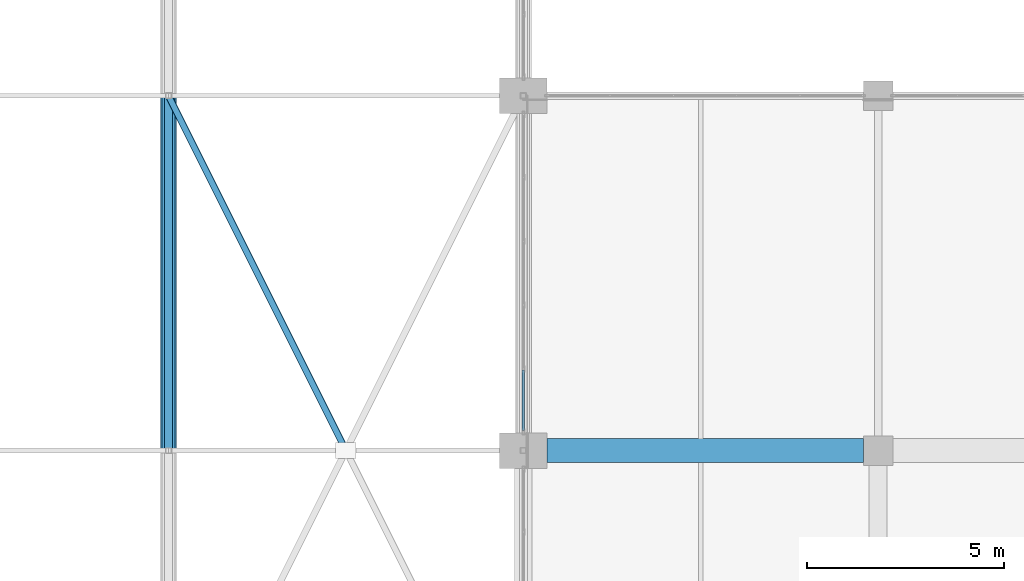
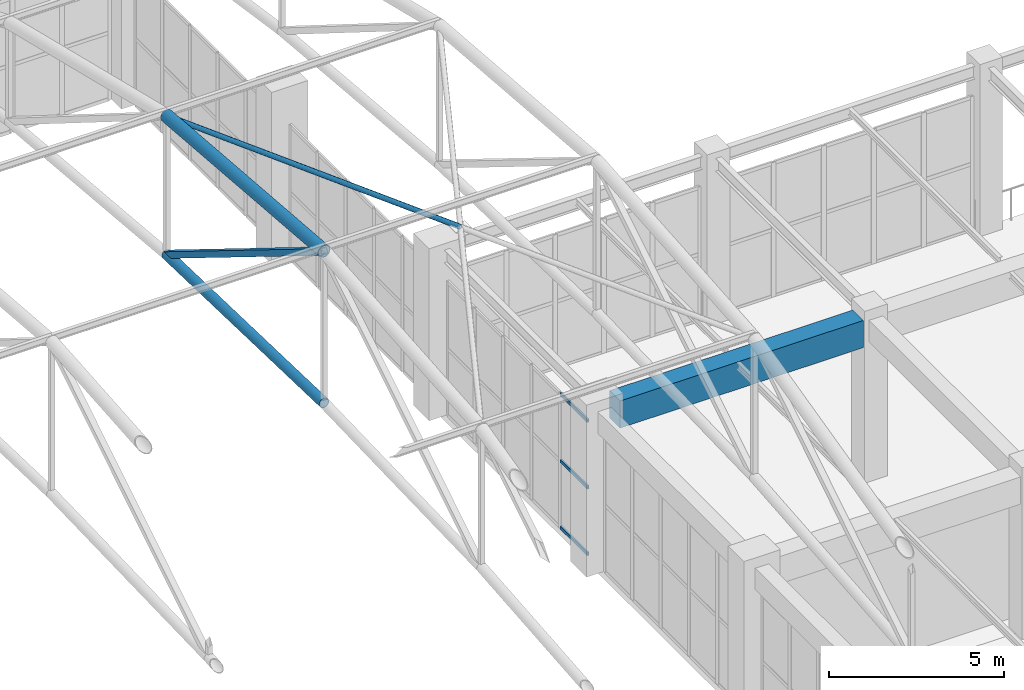
# One storey, part 146 of 223: 7 members, 1 beam, 1 element without a shape of its own.
"""IFC4 building model written with IfcOpenShell, lengths in metres."""

from ifc_helpers import new_model, si_unit, direction, frame, origin, origin_2d, place, context, subcontext, project, spatial, rectangle, hollow_rectangle, hollow_circle, extrude, material, layer, layer_set, material_profile, profile_set, type_object, element, aggregate, save


model = new_model("IFC4")

# Units and contexts
model_context = context("Model", 3, precision=1e-05, world=origin(), true_north=direction((0.0, 1.0)))
body_context = subcontext(model_context, "Body", "Model", "MODEL_VIEW")
ifc_project = project(units=[si_unit("LENGTHUNIT", "METRE"), si_unit("AREAUNIT", "SQUARE_METRE"), si_unit("VOLUMEUNIT", "CUBIC_METRE"), si_unit("PLANEANGLEUNIT", "RADIAN"), si_unit("MASSUNIT", "GRAM", prefix="KILO")], contexts=[model_context])

# Site, building, storey
site_placement = place(None, origin())
site = spatial("IfcSite", under=ifc_project, at=site_placement, CompositionType="ELEMENT")
building_placement = place(site_placement, origin())
building = spatial("IfcBuilding", under=site, at=building_placement, Name="Dornveld Trade and Exhibition Forum", CompositionType="ELEMENT")
storey_placement = place(building_placement, frame((0.0, 0.0, 6.0)))
storey = spatial("IfcBuildingStorey", under=building, at=storey_placement, Name="L01", CompositionType="ELEMENT", Elevation=6.0)

# Beam
ifc_material_1 = material(Name="Precast concrete C50/60", Category="concrete")
ifc_material_profile_1 = material_profile(ifc_material_1, rectangle(XDim=0.60009765625, YDim=0.949951171875, at=origin_2d()), Name="PC-GIR 600x950")
ifc_profile_set_1 = profile_set([ifc_material_profile_1], Name="Precast concrete C50/60")
beam_type = type_object("IfcBeamType", Name="BM-PC-600x950", PredefinedType="T_BEAM", material=ifc_profile_set_1)
beam_placement = place(storey_placement, frame((171.595947265625, 135.0, 5.1650390625), z_axis=(1.0, 0.0, 0.0), x_axis=(0.0, 1.0, 0.0)))
element("IfcBeam", 1, at=beam_placement, inside=storey, type_object=beam_type, Name="L01 X-girder 1345", PredefinedType="T_BEAM", context=body_context, shape_type="SweptSolid", body=[
    extrude(rectangle(XDim=0.60009765625, YDim=0.949951171875, at=origin_2d()), origin(), (0.0, 0.0, 1.0), 8.032958984375),
])

# Curtain wall, members
ifc_material_2 = material(Name="Dark-bronze anodised aluminium and low-E glass", Category="aluminium")
ifc_layer = layer(ifc_material_2, 0.180908203125)
ifc_layer_set = layer_set([ifc_layer], Name="Dark-bronze anodised aluminium and low-E glass")
curtain_wall_type = type_object("IfcCurtainWallType", Name="CW-SYS-13", PredefinedType="USERDEFINED", material=ifc_layer_set)
curtain_wall_placement = place(storey_placement, origin())
curtain_wall = element("IfcCurtainWall", 2, at=curtain_wall_placement, inside=storey, type_object=curtain_wall_type, Name="L01 unitised curtain wall 13", ObjectType="UNITISED_CURTAIN_WALL", PredefinedType="USERDEFINED")
ifc_material_3 = material(Name="Dark-bronze anodised aluminium", Category="aluminium")
ifc_material_profile_2 = material_profile(ifc_material_3, hollow_rectangle(XDim=0.06005859375, YDim=0.1201171875, WallThickness=0.00390625, at=origin_2d()), Name="RHS 120x60x4")
ifc_profile_set_2 = profile_set([ifc_material_profile_2], Name="Dark-bronze anodised aluminium")
member_type_1 = type_object("IfcMemberType", Name="CW-TRN-120", PredefinedType="USERDEFINED", material=ifc_profile_set_2)
member_1_placement = place(storey_placement, frame((171.0, 135.506103515625, 0.02587890625), z_axis=(0.0, 1.0, 0.0), x_axis=(-1.0, 0.0, 0.0)))
member_1 = element("IfcMember", 3, at=member_1_placement, type_object=member_type_1, Name="CW-13 transom 1.1", ObjectType="TRANSOM", PredefinedType="USERDEFINED", context=body_context, shape_type="SweptSolid", body=[
    extrude(hollow_rectangle(XDim=0.06005859375, YDim=0.1201171875, WallThickness=0.00390625, at=origin_2d()), origin(), (0.0, 0.0, 1.0), 1.531494140625),
])
member_2_placement = place(storey_placement, frame((171.0, 135.506103515625, 2.347900390625), z_axis=(0.0, 1.0, 0.0), x_axis=(-1.0, 0.0, 0.0)))
member_2 = element("IfcMember", 4, at=member_2_placement, type_object=member_type_1, Name="CW-13 transom 1.2", ObjectType="TRANSOM", PredefinedType="USERDEFINED", context=body_context, shape_type="SweptSolid", body=[
    extrude(hollow_rectangle(XDim=0.06005859375, YDim=0.1201171875, WallThickness=0.00390625, at=origin_2d()), origin(), (0.0, 0.0, 1.0), 1.531494140625),
])
member_3_placement = place(storey_placement, frame((171.0, 135.506103515625, 4.669921875), z_axis=(0.0, 1.0, 0.0), x_axis=(-1.0, 0.0, 0.0)))
member_3 = element("IfcMember", 5, at=member_3_placement, type_object=member_type_1, Name="CW-13 transom 1.3", ObjectType="TRANSOM", PredefinedType="USERDEFINED", context=body_context, shape_type="SweptSolid", body=[
    extrude(hollow_rectangle(XDim=0.06005859375, YDim=0.1201171875, WallThickness=0.00390625, at=origin_2d()), origin(), (0.0, 0.0, 1.0), 1.531494140625),
])
aggregate(curtain_wall, [member_1, member_2, member_3])

# Members
ifc_material_4 = material(Name="Steel S355J2", Category="steel")
ifc_material_profile_3 = material_profile(ifc_material_4, hollow_circle(Radius=0.161865234375, WallThickness=0.01611328125, at=origin_2d()), Name="CHS 323.9x16")
ifc_profile_set_3 = profile_set([ifc_material_profile_3], Name="Steel S355J2")
member_type_2 = type_object("IfcMemberType", Name="MEM-ARCH-BC", PredefinedType="CHORD", material=ifc_profile_set_3)
member_4_placement = place(storey_placement, frame((162.0, 135.0, 8.75), z_axis=(0.0, 0.999561545365, -0.029609407757), x_axis=(-1.0, 0.0, 0.0)))
element("IfcMember", 6, at=member_4_placement, inside=storey, type_object=member_type_2, Name="H1 truss 8 tie chord 4", PredefinedType="CHORD", context=body_context, shape_type="SweptSolid", body=[
    extrude(hollow_circle(Radius=0.161865234375, WallThickness=0.01611328125, at=origin_2d()), origin(), (0.0, 0.0, 1.0), 9.00390625),
])
ifc_material_5 = material(Name="Steel S355J2", Category="steel")
ifc_material_profile_4 = material_profile(ifc_material_5, hollow_circle(Radius=0.203125, WallThickness=0.02001953125, at=origin_2d()), Name="CHS 406.4x20")
ifc_profile_set_4 = profile_set([ifc_material_profile_4], Name="Steel S355J2")
member_type_3 = type_object("IfcMemberType", Name="MEM-ARCH-TC", PredefinedType="CHORD", material=ifc_profile_set_4)
member_5_placement = place(storey_placement, frame((162.0, 135.0, 14.050048828125), z_axis=(0.0, 0.996696239312, -0.081219496064), x_axis=(-1.0, 0.0, 0.0)))
element("IfcMember", 7, at=member_5_placement, inside=storey, type_object=member_type_3, Name="H1 truss 8 top chord 4", PredefinedType="CHORD", context=body_context, shape_type="SweptSolid", body=[
    extrude(hollow_circle(Radius=0.203125, WallThickness=0.02001953125, at=origin_2d()), origin(), (0.0, 0.0, 1.0), 9.02978515625),
])
ifc_material_6 = material(Name="Steel S355J2", Category="steel")
ifc_material_profile_5 = material_profile(ifc_material_6, hollow_rectangle(XDim=0.199951171875, YDim=0.199951171875, WallThickness=0.010009765625, at=origin_2d()), Name="SHS 200x200x10")
ifc_profile_set_5 = profile_set([ifc_material_profile_5], Name="Steel S355J2")
member_type_4 = type_object("IfcMemberType", Name="MEM-ARCH-WEB", PredefinedType="BRACE", material=ifc_profile_set_5)
member_6_placement = place(storey_placement, frame((162.0, 144.0, 8.4833984375), z_axis=(0.0, -0.850467158024, 0.526028148603), x_axis=(1.0, 0.0, 0.0)))
element("IfcMember", 8, at=member_6_placement, inside=storey, type_object=member_type_4, Name="H1 truss 8 web 4", PredefinedType="BRACE", context=body_context, shape_type="SweptSolid", body=[
    extrude(hollow_rectangle(XDim=0.199951171875, YDim=0.199951171875, WallThickness=0.010009765625, at=origin_2d()), origin(), (0.0, 0.0, 1.0), 10.58251953125),
])
ifc_material_7 = material(Name="Steel S355J2", Category="steel")
ifc_material_profile_6 = material_profile(ifc_material_7, hollow_circle(Radius=0.084228515625, WallThickness=0.008056640625, at=origin_2d()), Name="CHS 168.3x8")
ifc_profile_set_6 = profile_set([ifc_material_profile_6], Name="Steel S355J2")
member_type_5 = type_object("IfcMemberType", Name="MEM-BRACE-168", PredefinedType="BRACE", material=ifc_profile_set_6)
member_7_placement = place(storey_placement, frame((162.0, 144.0, 13.316650390625), z_axis=(0.4472135955, -0.894427191, 0.0), x_axis=(0.894427191, 0.4472135955, 0.0)))
element("IfcMember", 9, at=member_7_placement, inside=storey, type_object=member_type_5, Name="H1 roof wind brace 8B1", PredefinedType="BRACE", context=body_context, shape_type="SweptSolid", body=[
    extrude(hollow_circle(Radius=0.084228515625, WallThickness=0.008056640625, at=origin_2d()), origin(), (0.0, 0.0, 1.0), 10.062255859375),
])

save(model, "model.ifc")
